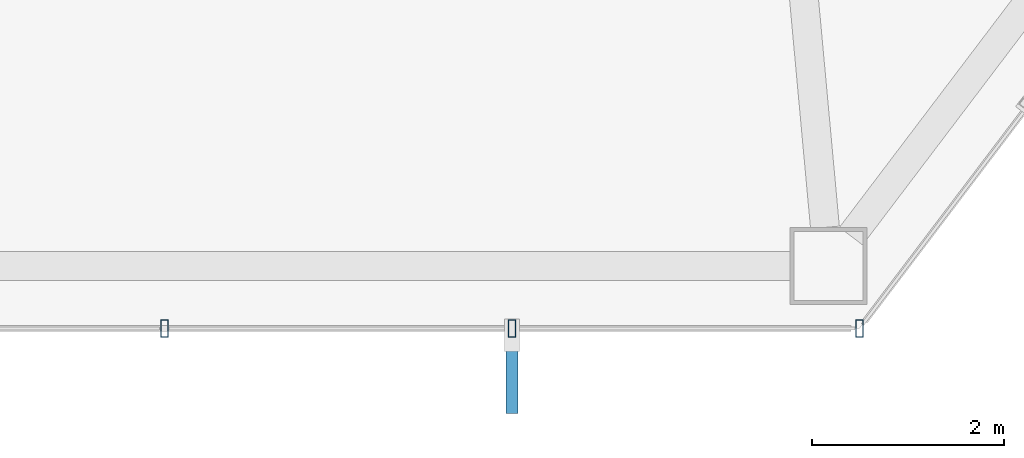
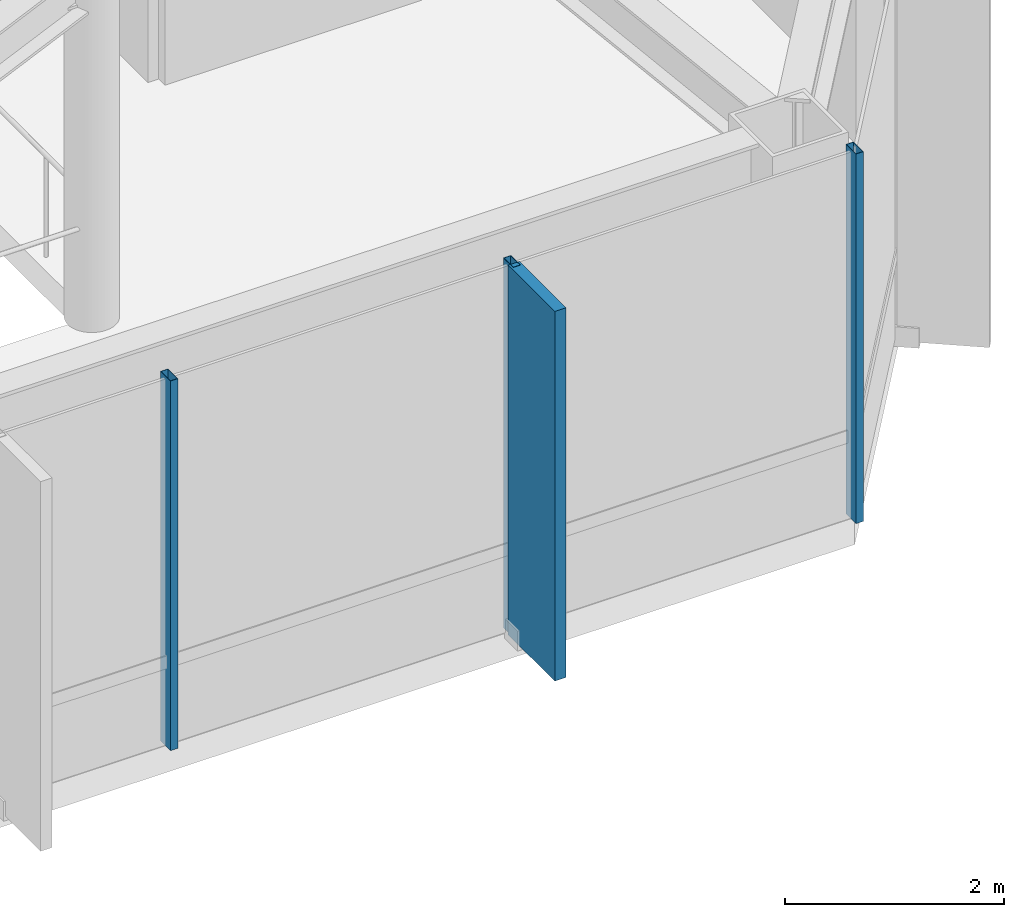
# One storey, part 8 of 27: 4 members, 1 element without a shape of its own.
"""IFC4 building model written with IfcOpenShell, lengths in metres."""

import ifcopenshell
import ifcopenshell.guid

model = None  # the IFC model being written
_history = None  # IfcOwnerHistory: only IFC2X3 demands one
_inside = {}  # id of a spatial element -> (the spatial element, [elements in it])
_under = {}  # id of a project, library or spatial element -> (it, [spatial elements below it])
_declared = {}  # id of a project -> (the project, [libraries it declares])
_typed = {}  # id of a type object -> (the type object, [elements of that type])
_made_of = {}  # id of a material, layer set ... -> (it, [elements and type objects made of it])


def new_model(schema):
    """Start an empty IFC model of exactly this schema.

    Asked for "IFC4X3", IfcOpenShell would pick the latest addendum, in which some entities
    have other attributes; the version numbers below select the first issue.
    IFC2X3 requires an IfcOwnerHistory on every rooted entity: one is made here for all.
    """
    global model, _history
    if schema == "IFC4X3":
        model = ifcopenshell.file(schema_version=(4, 3, 0, 0))
    else:
        model = ifcopenshell.file(schema=schema)
    _inside.clear()
    _under.clear()
    _declared.clear()
    _typed.clear()
    _made_of.clear()
    _history = None
    if model.schema == "IFC2X3":
        org = make("IfcOrganization", Name="unknown")
        user = make(
            "IfcPersonAndOrganization",
            ThePerson=make("IfcPerson", FamilyName="unknown"),
            TheOrganization=org,
        )
        app = make(
            "IfcApplication",
            ApplicationDeveloper=org,
            Version="unknown",
            ApplicationFullName="unknown",
            ApplicationIdentifier="unknown",
        )
        _history = make(
            "IfcOwnerHistory",
            OwningUser=user,
            OwningApplication=app,
            ChangeAction="ADDED",
            CreationDate=0,
        )
    return model


def make(cls, **values):
    """One entity of the class cls with the attributes given. An attribute that is None is left unset."""
    return model.create_entity(
        cls, **{name: value for name, value in values.items() if value is not None}
    )


def rooted(cls, **values):
    """An entity with a GlobalId (a new one), such as an element, a storey or a relation."""
    return make(cls, GlobalId=ifcopenshell.guid.new(), OwnerHistory=_history, **values)


def si_unit(unit_type, name, prefix=None):
    """IfcSIUnit, for example si_unit("LENGTHUNIT", "METRE", prefix="MILLI")."""
    return make("IfcSIUnit", UnitType=unit_type, Prefix=prefix, Name=name)


def assignment(units):
    """IfcUnitAssignment: the units of a project."""
    return None if units is None else make("IfcUnitAssignment", Units=units)


def point(xyz):
    """IfcCartesianPoint."""
    return None if xyz is None else make("IfcCartesianPoint", Coordinates=xyz)


def direction(xyz):
    """IfcDirection."""
    return None if xyz is None else make("IfcDirection", DirectionRatios=xyz)


def frame(location, z_axis=None, x_axis=None):
    """IfcAxis2Placement3D, a coordinate frame: its origin and axes. An axis left out is left unset."""
    return make(
        "IfcAxis2Placement3D",
        Location=point(location),
        Axis=direction(z_axis),
        RefDirection=direction(x_axis),
    )


def frame_2d(location, x_axis=None):
    """IfcAxis2Placement2D, a coordinate frame in the plane: its origin and x axis."""
    return make(
        "IfcAxis2Placement2D", Location=point(location), RefDirection=direction(x_axis)
    )


def origin():
    """The frame at (0, 0, 0) with its axes left unset."""
    return frame((0.0, 0.0, 0.0))


def origin_2d():
    """The frame at (0, 0) in the plane with its x axis left unset."""
    return frame_2d((0.0, 0.0))


def place(relative_to, where):
    """IfcLocalPlacement: puts the frame where relative to a parent placement (None: the world)."""
    return make(
        "IfcLocalPlacement", PlacementRelTo=relative_to, RelativePlacement=where
    )


def context(
    kind, dimensions, precision=None, world=None, true_north=None, identifier=None
):
    """IfcGeometricRepresentationContext, for example the 3D "Model" context."""
    return make(
        "IfcGeometricRepresentationContext",
        ContextIdentifier=identifier,
        ContextType=kind,
        CoordinateSpaceDimension=dimensions,
        Precision=precision,
        WorldCoordinateSystem=world,
        TrueNorth=true_north,
    )


def subcontext(parent, identifier, kind, view, scale=None):
    """IfcGeometricRepresentationSubContext, for example "Body" below "Model"."""
    return make(
        "IfcGeometricRepresentationSubContext",
        ContextIdentifier=identifier,
        ContextType=kind,
        ParentContext=parent,
        TargetScale=scale,
        TargetView=view,
    )


def project(units=None, contexts=None):
    """IfcProject with its units and contexts."""
    return rooted(
        "IfcProject",
        Name="project",
        RepresentationContexts=contexts,
        UnitsInContext=assignment(units),
    )


def spatial(cls, under=None, at=None, **own):
    """A site, building, storey or space (cls), placed at a placement, below another one or the project."""
    s = rooted(cls, ObjectPlacement=at, **own)
    if under is not None:
        _under.setdefault(under.id(), (under, []))[1].append(s)
    return s


def profile(cls, at=None, kind="AREA", **sizes):
    """A parametric profile (cls). Its sizes go by their IFC names, for example OverallWidth=200.0."""
    return make(cls, ProfileType=kind, Position=at, **sizes)


def rectangle(**sizes):
    """IfcRectangleProfileDef."""
    return profile("IfcRectangleProfileDef", **sizes)


def hollow_rectangle(**sizes):
    """IfcRectangleHollowProfileDef."""
    return profile("IfcRectangleHollowProfileDef", **sizes)


def extrude(swept, where, along, depth):
    """IfcExtrudedAreaSolid: the profile swept, set in the frame where, extruded along a direction by depth."""
    return make(
        "IfcExtrudedAreaSolid",
        SweptArea=swept,
        Position=where,
        ExtrudedDirection=direction(along),
        Depth=depth,
    )


def shape(context_of_items, identifier, shape_type, items):
    """IfcShapeRepresentation: the items that make up one representation, for example the "Body"."""
    return make(
        "IfcShapeRepresentation",
        ContextOfItems=context_of_items,
        RepresentationIdentifier=identifier,
        RepresentationType=shape_type,
        Items=items,
    )


def material(Name=None, Category=None):
    """IfcMaterial."""
    return make("IfcMaterial", Name=Name, Category=Category)


def layer(
    of_material, thickness, ventilated=None, Name=None, Category=None, Priority=None
):
    """IfcMaterialLayer: one layer of a wall or slab, of a material (None: an air gap)."""
    return make(
        "IfcMaterialLayer",
        Material=of_material,
        LayerThickness=thickness,
        IsVentilated=ventilated,
        Name=Name,
        Category=Category,
        Priority=Priority,
    )


def layer_set(layers, Name=None):
    """IfcMaterialLayerSet."""
    return make("IfcMaterialLayerSet", MaterialLayers=layers, LayerSetName=Name)


def material_profile(
    of_material, cross_section, Name=None, Category=None, Priority=None
):
    """IfcMaterialProfile: a cross section and its material."""
    return make(
        "IfcMaterialProfile",
        Name=Name,
        Material=of_material,
        Profile=cross_section,
        Priority=Priority,
        Category=Category,
    )


def profile_set(profiles, Name=None, composite=None):
    """IfcMaterialProfileSet."""
    return make(
        "IfcMaterialProfileSet",
        Name=Name,
        MaterialProfiles=profiles,
        CompositeProfile=composite,
    )


def made_of(thing, what):
    """Note that an element or type object is made of a material, layer set ...; save() writes the relation."""
    if what is not None:
        _made_of.setdefault(what.id(), (what, []))[1].append(thing)
    return thing


def type_object(cls, material=None, **own):
    """A type object (cls), such as IfcWallType, which elements share."""
    return made_of(rooted(cls, **own), material)


def element(
    cls,
    number,
    at=None,
    inside=None,
    cuts=None,
    type_object=None,
    material=None,
    context=None,
    identifier="Body",
    shape_type=None,
    held_by="IfcProductDefinitionShape",
    body=None,
    shapes=None,
    **own,
):
    """One element of the class cls, such as IfcWall. Its Tag is "e" and its number.

    at: its placement. inside: the storey or other place that contains it. cuts: it is an
    opening in that element (IfcRelVoidsElement). A single representation is given by context,
    identifier, shape_type and body (its items); several are given by shapes. held_by: the class
    of the entity that holds the representations. save() writes the other relations.
    """
    e = rooted(cls, Tag="e%d" % number, ObjectPlacement=at, **own)
    if body is not None:
        shapes = [shape(context, identifier, shape_type, body)]
    if shapes is not None:
        e.Representation = make(held_by, Representations=shapes)
    if inside is not None:
        _inside.setdefault(inside.id(), (inside, []))[1].append(e)
    if cuts is not None:
        rooted(
            "IfcRelVoidsElement", RelatingBuildingElement=cuts, RelatedOpeningElement=e
        )
    if type_object is not None:
        _typed.setdefault(type_object.id(), (type_object, []))[1].append(e)
    return made_of(e, material)


def aggregate(whole, parts):
    """IfcRelAggregates: a whole, such as a stair, and the parts it consists of."""
    return rooted("IfcRelAggregates", RelatingObject=whole, RelatedObjects=parts)


def save(model, path):
    """Write the relations noted so far, then the file.

    IfcRelAggregates (storeys below a building ...), IfcRelContainedInSpatialStructure (elements
    in a storey), IfcRelDefinesByType, IfcRelAssociatesMaterial and IfcRelDeclares: one each for
    every whole, place, type object, material and project.
    """
    for whole, parts in _under.values():
        aggregate(whole, parts)
    for where, things in _inside.values():
        rooted(
            "IfcRelContainedInSpatialStructure",
            RelatedElements=things,
            RelatingStructure=where,
        )
    for kind, things in _typed.values():
        rooted("IfcRelDefinesByType", RelatedObjects=things, RelatingType=kind)
    for what, things in _made_of.values():
        rooted("IfcRelAssociatesMaterial", RelatedObjects=things, RelatingMaterial=what)
    for by, libraries in _declared.values():
        rooted("IfcRelDeclares", RelatingContext=by, RelatedDefinitions=libraries)
    model.write(path)


model = new_model("IFC4")

# Units and contexts
model_context = context("Model", 3, precision=1e-05, world=origin(), true_north=direction((0.0, 1.0)))
body_context = subcontext(model_context, "Body", "Model", "MODEL_VIEW")
ifc_project = project(units=[si_unit("LENGTHUNIT", "METRE"), si_unit("AREAUNIT", "SQUARE_METRE"), si_unit("VOLUMEUNIT", "CUBIC_METRE"), si_unit("PLANEANGLEUNIT", "RADIAN"), si_unit("MASSUNIT", "GRAM", prefix="KILO")], contexts=[model_context])

# Site, building, storey
site_placement = place(None, origin())
site = spatial("IfcSite", under=ifc_project, at=site_placement, CompositionType="ELEMENT")
building_placement = place(site_placement, origin())
building = spatial("IfcBuilding", under=site, at=building_placement, Name="Zarrinselat Tower", CompositionType="ELEMENT")
storey_placement = place(building_placement, frame((0.0, 0.0, 114.580078125)))
storey = spatial("IfcBuildingStorey", under=building, at=storey_placement, Name="L27", CompositionType="ELEMENT", Elevation=114.580078125)

# Curtain wall, members
ifc_material_1 = material(Name="Extruded Aluminium Alloy EN AW-6063 T6", Category="aluminium")
ifc_layer = layer(ifc_material_1, 0.195068359375)
ifc_layer_set = layer_set([ifc_layer], Name="Extruded Aluminium Alloy EN AW-6063 T6")
curtain_wall_type = type_object("IfcCurtainWallType", Name="CWS-GDN", PredefinedType="NOTDEFINED", material=ifc_layer_set)
curtain_wall_placement = place(storey_placement, origin())
curtain_wall = element("IfcCurtainWall", 1, at=curtain_wall_placement, inside=storey, type_object=curtain_wall_type, Name="L27 Unitised Curtain Wall CW-L27-E01", PredefinedType="NOTDEFINED")
ifc_material_2 = material(Name="Extruded Aluminium Alloy EN AW-6063 T6", Category="aluminium")
ifc_material_profile_1 = material_profile(ifc_material_2, hollow_rectangle(XDim=0.080078125, YDim=0.179931640625, WallThickness=0.0048828125, at=origin_2d()), Name="RHS 180x80x5")
ifc_profile_set_1 = profile_set([ifc_material_profile_1], Name="Extruded Aluminium Alloy EN AW-6063 T6")
member_type_1 = type_object("IfcMemberType", Name="MEM-CW-MUL", PredefinedType="MULLION", material=ifc_profile_set_1)
member_1_placement = place(storey_placement, frame((47.432373046875, 18.147216796875, 0.0), z_axis=(0.0, 0.0, 1.0), x_axis=(-1.0, 0.0, 0.0)))
member_1 = element("IfcMember", 2, at=member_1_placement, type_object=member_type_1, Name="CW-L27-E01 Mullion 0", PredefinedType="MULLION", context=body_context, shape_type="SweptSolid", body=[
    extrude(hollow_rectangle(XDim=0.080078125, YDim=0.179931640625, WallThickness=0.0048828125, at=origin_2d()), origin(), (0.0, 0.0, 1.0), 4.119873046875),
])
member_2_placement = place(storey_placement, frame((43.8193359375, 18.147216796875, 0.0), z_axis=(0.0, 0.0, 1.0), x_axis=(-1.0, 0.0, 0.0)))
member_2 = element("IfcMember", 3, at=member_2_placement, type_object=member_type_1, Name="CW-L27-E01 Mullion 1", PredefinedType="MULLION", context=body_context, shape_type="SweptSolid", body=[
    extrude(hollow_rectangle(XDim=0.080078125, YDim=0.179931640625, WallThickness=0.0048828125, at=origin_2d()), origin(), (0.0, 0.0, 1.0), 4.119873046875),
])
member_3_placement = place(storey_placement, frame((40.20654296875, 18.147216796875, 0.0), z_axis=(0.0, 0.0, 1.0), x_axis=(-1.0, 0.0, 0.0)))
member_3 = element("IfcMember", 4, at=member_3_placement, type_object=member_type_1, Name="CW-L27-E01 Mullion 2", PredefinedType="MULLION", context=body_context, shape_type="SweptSolid", body=[
    extrude(hollow_rectangle(XDim=0.080078125, YDim=0.179931640625, WallThickness=0.0048828125, at=origin_2d()), origin(), (0.0, 0.0, 1.0), 4.119873046875),
])
ifc_material_3 = material(Name="Honed Cream Travertine Stone", Category="masonry")
ifc_material_profile_2 = material_profile(ifc_material_3, rectangle(XDim=0.1201171875, YDim=0.85009765625, at=origin_2d()), Name="FIN 850x120")
ifc_profile_set_2 = profile_set([ifc_material_profile_2], Name="Honed Cream Travertine Stone")
member_type_2 = type_object("IfcMemberType", Name="MEM-STONE-FIN", PredefinedType="USERDEFINED", material=ifc_profile_set_2)
member_4_placement = place(storey_placement, frame((43.8193359375, 17.68701171875, 0.0), z_axis=(0.0, 0.0, 1.0), x_axis=(-1.0, 0.0, 0.0)))
member_4 = element("IfcMember", 5, at=member_4_placement, type_object=member_type_2, Name="L27 Stone Shading Fin CW-L27-E01-01", ObjectType="FIN", PredefinedType="USERDEFINED", context=body_context, shape_type="SweptSolid", body=[
    extrude(rectangle(XDim=0.1201171875, YDim=0.85009765625, at=origin_2d()), origin(), (0.0, 0.0, 1.0), 4.119873046875),
])
aggregate(curtain_wall, [member_1, member_2, member_4, member_3])

save(model, "model.ifc")
